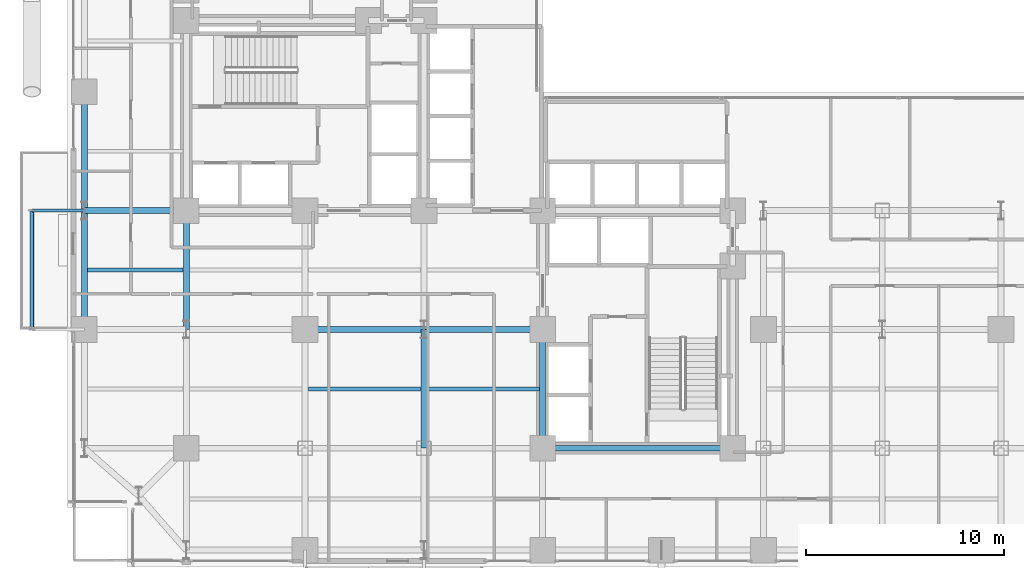
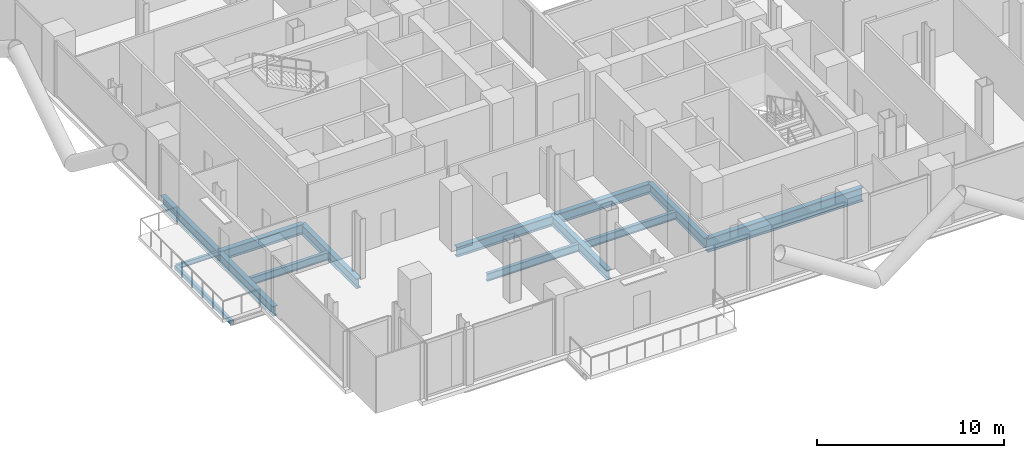
# One storey, part 4 of 25: 14 beams.
"""IFC4 building model written with IfcOpenShell, lengths in metres."""

from ifc_helpers import new_model, si_unit, direction, frame, origin, origin_2d, place, context, subcontext, project, spatial, hollow_rectangle, i_section, extrude, material, material_profile, profile_set, type_object, element, save


model = new_model("IFC4")

# Units and contexts
model_context = context("Model", 3, precision=1e-05, world=origin(), true_north=direction((0.0, 1.0)))
body_context = subcontext(model_context, "Body", "Model", "MODEL_VIEW")
ifc_project = project(units=[si_unit("LENGTHUNIT", "METRE"), si_unit("AREAUNIT", "SQUARE_METRE"), si_unit("VOLUMEUNIT", "CUBIC_METRE"), si_unit("PLANEANGLEUNIT", "RADIAN"), si_unit("MASSUNIT", "GRAM", prefix="KILO"), si_unit("THERMODYNAMICTEMPERATUREUNIT", "KELVIN"), si_unit("POWERUNIT", "WATT")], contexts=[model_context])

# Site, building, storey
site_placement = place(None, origin())
site = spatial("IfcSite", under=ifc_project, at=site_placement, CompositionType="ELEMENT")
building_placement = place(site_placement, origin())
building = spatial("IfcBuilding", under=site, at=building_placement, Name="Svarakhadi Broadcast Tower", CompositionType="ELEMENT")
storey_placement = place(building_placement, frame((0.0, 0.0, 32.39990234375)))
storey = spatial("IfcBuildingStorey", under=building, at=storey_placement, Name="L06", CompositionType="ELEMENT", Elevation=32.39990234375)

# Beams
ifc_material_1 = material(Name="Steel S355J2 (IS 2062 E350C)", Category="steel")
ifc_material_profile_1 = material_profile(ifc_material_1, i_section(OverallWidth=0.199951171875, OverallDepth=0.5, WebThickness=0.01025390625, FlangeThickness=0.01611328125, FilletRadius=0.02099609375, at=origin_2d()), Name="NPB 500x200x91")
ifc_profile_set_1 = profile_set([ifc_material_profile_1], Name="Steel S355J2 (IS 2062 E350C)")
beam_type_1 = type_object("IfcBeamType", Name="Beam_NPB500", PredefinedType="BEAM", material=ifc_profile_set_1)
beam_1_placement = place(storey_placement, frame((1.010009765625, 15.0, -0.5), z_axis=(1.0, 0.0, 0.0), x_axis=(0.0, 1.0, 0.0)))
element("IfcBeam", 1, at=beam_1_placement, inside=storey, type_object=beam_type_1, Name="L06 Secondary Composite Beam SB002", PredefinedType="BEAM", context=body_context, shape_type="SweptSolid", body=[
    extrude(i_section(OverallWidth=0.199951171875, OverallDepth=0.5, WebThickness=0.01025390625, FlangeThickness=0.01611328125, FilletRadius=0.02099609375, at=origin_2d()), origin(), (0.0, 0.0, 1.0), 4.830078125),
])
for number, where, z_axis, x_axis, name in (
    (2, (12.159912109375, 9.0, -0.5), (1.0, 0.0, 0.0), (0.0, 1.0, 0.0), "L06 Secondary Composite Beam SB014"),
    (3, (18.159912109375, 9.0, -0.5), (1.0, 0.0, 0.0), (0.0, 1.0, 0.0), "L06 Secondary Composite Beam SB020"),
):
    element("IfcBeam", number, at=place(storey_placement, frame(where, z_axis=z_axis, x_axis=x_axis)), inside=storey, type_object=beam_type_1, Name=name, PredefinedType="BEAM", context=body_context, shape_type="SweptSolid", body=[
        extrude(i_section(OverallWidth=0.199951171875, OverallDepth=0.5, WebThickness=0.01025390625, FlangeThickness=0.01611328125, FilletRadius=0.02099609375, at=origin_2d()), origin(), (0.0, 0.0, 1.0), 5.68017578125),
    ])
ifc_material_profile_2 = material_profile(ifc_material_1, i_section(OverallWidth=0.300048828125, OverallDepth=0.64990234375, WebThickness=0.01611328125, FlangeThickness=0.031005859375, FilletRadius=0.027099609375, at=origin_2d()), Name="WPB 650x300x225")
ifc_profile_set_2 = profile_set([ifc_material_profile_2], Name="Steel S355J2 (IS 2062 E350C)")
beam_type_2 = type_object("IfcBeamType", Name="Girder_WPB650", PredefinedType="USERDEFINED", material=ifc_profile_set_2)
for number, where, z_axis, x_axis, name in (
    (4, (12.0, 12.0, -0.574951171875), (1.0, 0.0, 0.0), (0.0, 1.0, 0.0), "L06 Primary E-W Girder G021"),
    (5, (18.0, 12.0, -0.574951171875), (1.0, 0.0, 0.0), (0.0, 1.0, 0.0), "L06 Primary E-W Girder G022"),
):
    element("IfcBeam", number, at=place(storey_placement, frame(where, z_axis=z_axis, x_axis=x_axis)), inside=storey, type_object=beam_type_2, Name=name, ObjectType="GIRDER", PredefinedType="USERDEFINED", context=body_context, shape_type="SweptSolid", body=[
        extrude(i_section(OverallWidth=0.300048828125, OverallDepth=0.64990234375, WebThickness=0.01611328125, FlangeThickness=0.031005859375, FilletRadius=0.027099609375, at=origin_2d()), origin(), (0.0, 0.0, 1.0), 6.0),
    ])
beam_2_placement = place(storey_placement, frame((0.85009765625, 18.0, -0.574951171875), z_axis=(1.0, 0.0, 0.0), x_axis=(0.0, 1.0, 0.0)))
element("IfcBeam", 6, at=beam_2_placement, inside=storey, type_object=beam_type_2, Name="L06 Primary E-W Girder G025", ObjectType="GIRDER", PredefinedType="USERDEFINED", context=body_context, shape_type="SweptSolid", body=[
    extrude(i_section(OverallWidth=0.300048828125, OverallDepth=0.64990234375, WebThickness=0.01611328125, FlangeThickness=0.031005859375, FilletRadius=0.027099609375, at=origin_2d()), origin(), (0.0, 0.0, 1.0), 5.14990234375),
])
for number, where, z_axis, x_axis, name in (
    (7, (0.85009765625, 12.0, -0.574951171875), (0.0, 1.0, 0.0), (-1.0, 0.0, 0.0), "L06 Primary N-S Girder G046"),
    (8, (0.85009765625, 18.0, -0.574951171875), (0.0, 1.0, 0.0), (-1.0, 0.0, 0.0), "L06 Primary N-S Girder G047"),
    (9, (6.0, 12.0, -0.574951171875), (0.0, 1.0, 0.0), (-1.0, 0.0, 0.0), "L06 Primary N-S Girder G053"),
    (10, (18.0, 6.0, -0.574951171875), (0.0, 1.0, 0.0), (-1.0, 0.0, 0.0), "L06 Primary N-S Girder G065"),
    (11, (24.0, 6.0, -0.574951171875), (0.0, 1.0, 0.0), (-1.0, 0.0, 0.0), "L06 Primary N-S Girder G072"),
):
    element("IfcBeam", number, at=place(storey_placement, frame(where, z_axis=z_axis, x_axis=x_axis)), inside=storey, type_object=beam_type_2, Name=name, ObjectType="GIRDER", PredefinedType="USERDEFINED", context=body_context, shape_type="SweptSolid", body=[
        extrude(i_section(OverallWidth=0.300048828125, OverallDepth=0.64990234375, WebThickness=0.01611328125, FlangeThickness=0.031005859375, FilletRadius=0.027099609375, at=origin_2d()), origin(), (0.0, 0.0, 1.0), 6.0),
    ])
ifc_material_2 = material(Name="Steel S460ML (IS 2062 E450BR)", Category="steel")
ifc_material_profile_3 = material_profile(ifc_material_2, i_section(OverallWidth=0.300048828125, OverallDepth=0.89990234375, WebThickness=0.0185546875, FlangeThickness=0.034912109375, FilletRadius=0.030029296875, at=origin_2d()), Name="WPB 900x300x291")
ifc_profile_set_3 = profile_set([ifc_material_profile_3], Name="Steel S460ML (IS 2062 E450BR)")
beam_type_3 = type_object("IfcBeamType", Name="Girder_WPB900", PredefinedType="USERDEFINED", material=ifc_profile_set_3)
beam_3_placement = place(storey_placement, frame((24.0, 6.0, -0.699951171875), z_axis=(1.0, 0.0, 0.0), x_axis=(0.0, 1.0, 0.0)))
element("IfcBeam", 12, at=beam_3_placement, inside=storey, type_object=beam_type_3, Name="L06 Primary E-W Girder G015", ObjectType="GIRDER", PredefinedType="USERDEFINED", context=body_context, shape_type="SweptSolid", body=[
    extrude(i_section(OverallWidth=0.300048828125, OverallDepth=0.89990234375, WebThickness=0.0185546875, FlangeThickness=0.034912109375, FilletRadius=0.030029296875, at=origin_2d()), origin(), (0.0, 0.0, 1.0), 9.60009765625),
])
ifc_material_profile_4 = material_profile(ifc_material_1, i_section(OverallWidth=0.14990234375, OverallDepth=0.300048828125, WebThickness=0.007080078125, FlangeThickness=0.0107421875, FilletRadius=0.014892578125, at=origin_2d()), Name="NPB 300x150x37")
ifc_profile_set_4 = profile_set([ifc_material_profile_4], Name="Steel S355J2 (IS 2062 E350C)")
beam_type_4 = type_object("IfcBeamType", Name="Spandrel_NPB300", PredefinedType="SPANDREL", material=ifc_profile_set_4)
beam_4_placement = place(storey_placement, frame((0.85009765625, 18.0, -0.39990234375), z_axis=(-1.0, 0.0, 0.0), x_axis=(0.0, -1.0, 0.0)))
element("IfcBeam", 13, at=beam_4_placement, inside=storey, type_object=beam_type_4, Name="L06 Balcony Cantilever Bracket 2B", PredefinedType="SPANDREL", context=body_context, shape_type="SweptSolid", body=[
    extrude(i_section(OverallWidth=0.14990234375, OverallDepth=0.300048828125, WebThickness=0.007080078125, FlangeThickness=0.0107421875, FilletRadius=0.014892578125, at=origin_2d()), origin(), (0.0, 0.0, 1.0), 2.650146484375),
])
ifc_material_profile_5 = material_profile(ifc_material_2, hollow_rectangle(XDim=0.199951171875, YDim=0.300048828125, WallThickness=0.012451171875, InnerFilletRadius=0.012451171875, OuterFilletRadius=0.02490234375, at=origin_2d()), Name="RHS 300x200x12.5")
ifc_profile_set_5 = profile_set([ifc_material_profile_5], Name="Steel S460ML (IS 2062 E450BR)")
beam_type_5 = type_object("IfcBeamType", Name="Spandrel_RHS300", PredefinedType="SPANDREL", material=ifc_profile_set_5)
beam_5_placement = place(storey_placement, frame((-1.800048828125, 12.0, -0.39990234375), z_axis=(0.0, 1.0, 0.0), x_axis=(-1.0, 0.0, 0.0)))
element("IfcBeam", 14, at=beam_5_placement, inside=storey, type_object=beam_type_5, Name="L06 Balcony Outer Spandrel 2F", PredefinedType="SPANDREL", context=body_context, shape_type="SweptSolid", body=[
    extrude(hollow_rectangle(XDim=0.199951171875, YDim=0.300048828125, WallThickness=0.012451171875, InnerFilletRadius=0.012451171875, OuterFilletRadius=0.02490234375, at=origin_2d()), origin(), (0.0, 0.0, 1.0), 6.0),
])

save(model, "model.ifc")
